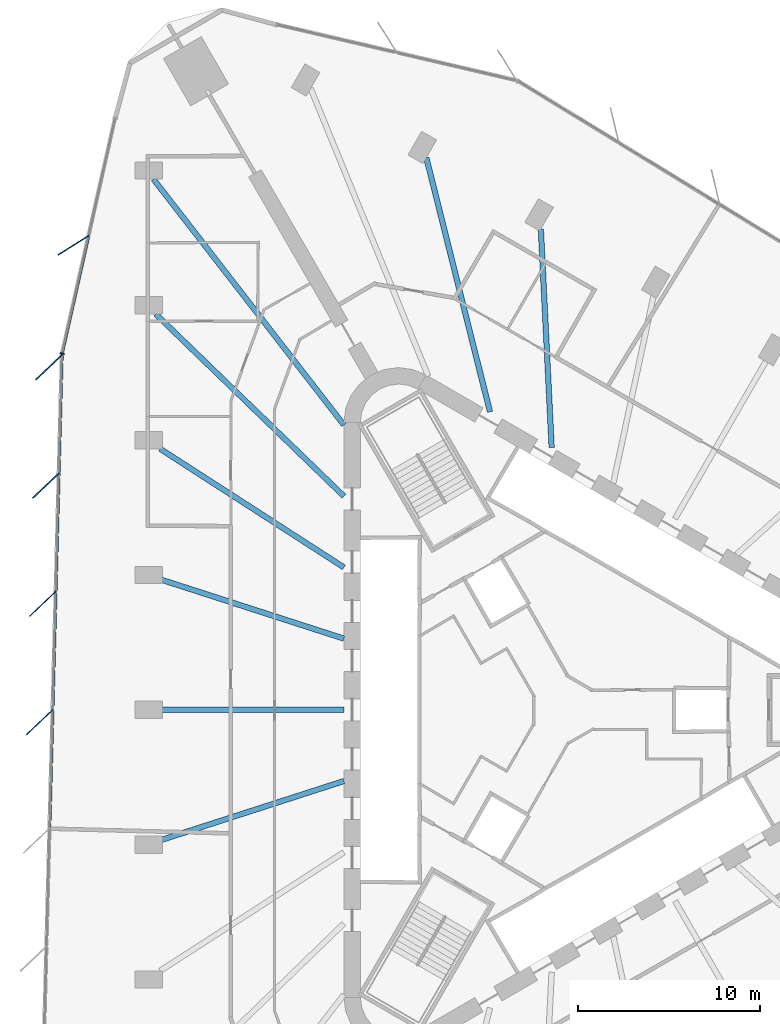
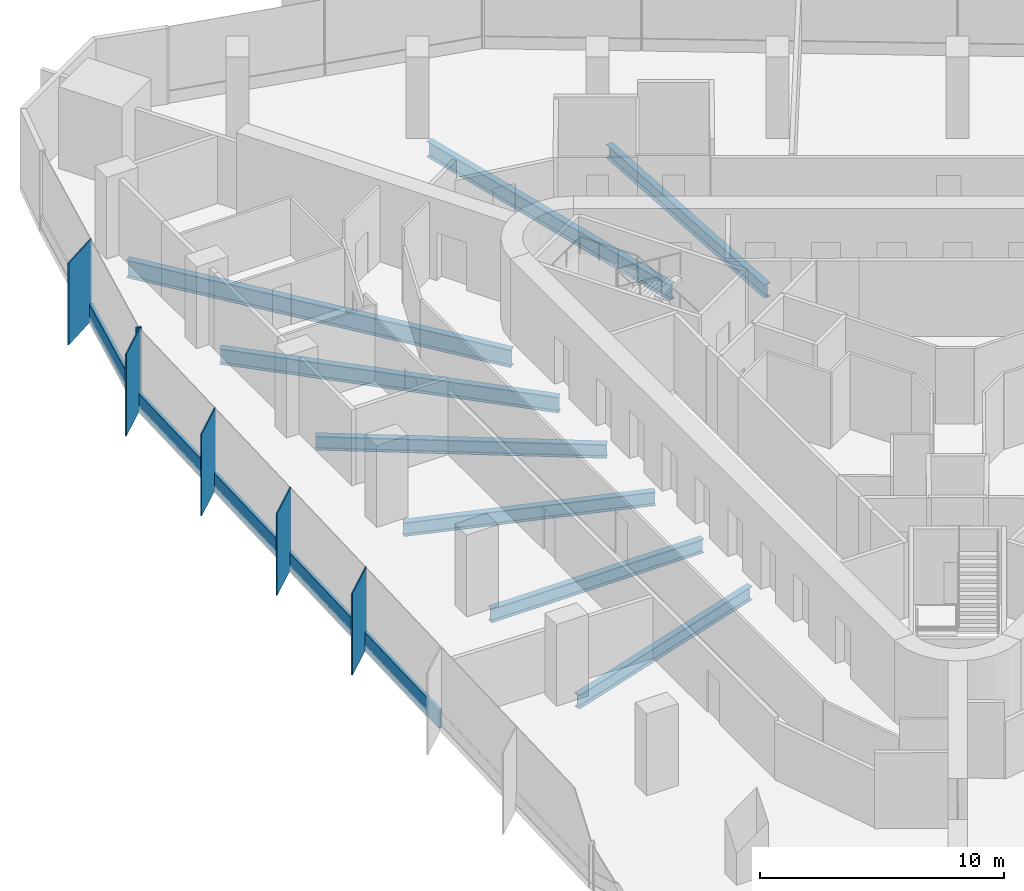
# One storey, part 4 of 14: 11 members, 8 beams, 2 elements without a shape of their own.
"""IFC4 building model written with IfcOpenShell, lengths in metres."""

from ifc_helpers import new_model, si_unit, direction, frame, origin, origin_2d, place, context, subcontext, project, spatial, rectangle, i_section, extrude, material, material_profile, profile_set, type_object, element, aggregate, save


model = new_model("IFC4")

# Units and contexts
model_context = context("Model", 3, precision=1e-05, world=origin(), true_north=direction((0.0, 1.0)))
body_context = subcontext(model_context, "Body", "Model", "MODEL_VIEW")
ifc_project = project(units=[si_unit("LENGTHUNIT", "METRE"), si_unit("AREAUNIT", "SQUARE_METRE"), si_unit("VOLUMEUNIT", "CUBIC_METRE"), si_unit("PLANEANGLEUNIT", "RADIAN"), si_unit("MASSUNIT", "GRAM", prefix="KILO")], contexts=[model_context])

# Site, building, storey
site_placement = place(None, origin())
site = spatial("IfcSite", under=ifc_project, at=site_placement, CompositionType="ELEMENT")
building_placement = place(site_placement, origin())
building = spatial("IfcBuilding", under=site, at=building_placement, Name="Tanit Gate Tower", CompositionType="ELEMENT")
storey_placement = place(building_placement, frame((0.0, 0.0, 119.300048828125)))
storey = spatial("IfcBuildingStorey", under=building, at=storey_placement, Name="L25", CompositionType="ELEMENT", Elevation=119.300048828125)

# Curtain wall, member
ifc_material_1 = material(Name="Aluminium bronze anodised and glass", Category="aluminium")
curtain_wall_type = type_object("IfcCurtainWallType", Name="Curtain wall typical low", PredefinedType="NOTDEFINED", material=ifc_material_1)
curtain_wall_1_placement = place(storey_placement, origin())
curtain_wall_1 = element("IfcCurtainWall", 1, at=curtain_wall_1_placement, inside=storey, type_object=curtain_wall_type, Name="Curtain wall L25 W1", PredefinedType="NOTDEFINED")
ifc_material_2 = material(Name="Aluminium bronze anodised", Category="aluminium")
ifc_material_profile_1 = material_profile(ifc_material_2, rectangle(XDim=2.0, YDim=0.055908203125, at=origin_2d()), Name="56x2000 bronze fin mullion")
ifc_profile_set_1 = profile_set([ifc_material_profile_1], Name="Aluminium bronze anodised")
member_type_1 = type_object("IfcMemberType", Name="FIN MULLION 56x2000 bronze", PredefinedType="MULLION", material=ifc_profile_set_1)
member_1_placement = place(storey_placement, frame((-26.922607421875, 25.471435546875, -0.300048828125), z_axis=(0.0, 0.0, 1.0), x_axis=(0.845158107773, 0.534516391579, 0.0)))
member_1 = element("IfcMember", 2, at=member_1_placement, type_object=member_type_1, Name="Fin mullion L25 W1.2", PredefinedType="MULLION", context=body_context, shape_type="SweptSolid", body=[
    extrude(rectangle(XDim=2.0, YDim=0.055908203125, at=origin_2d()), origin(), (0.0, 0.0, 1.0), 4.10009765625),
])

# Curtain wall, members
curtain_wall_2_placement = place(storey_placement, origin())
curtain_wall_2 = element("IfcCurtainWall", 3, at=curtain_wall_2_placement, inside=storey, type_object=curtain_wall_type, Name="Curtain wall L25 W2", PredefinedType="NOTDEFINED")
member_2_placement = place(storey_placement, frame((-28.269287109375, 18.7841796875, -0.300048828125), z_axis=(0.0, 0.0, 1.0), x_axis=(0.725295571884, 0.688437603131, 0.0)))
member_2 = element("IfcMember", 4, at=member_2_placement, type_object=member_type_1, Name="Fin mullion L25 W2.1", PredefinedType="MULLION", context=body_context, shape_type="SweptSolid", body=[
    extrude(rectangle(XDim=2.0, YDim=0.055908203125, at=origin_2d()), origin(), (0.0, 0.0, 1.0), 4.10009765625),
])
member_3_placement = place(storey_placement, frame((-28.438232421875, 12.298583984375, -0.300048828125), z_axis=(0.0, 0.0, 1.0), x_axis=(0.725295571884, 0.688437603131, 0.0)))
member_3 = element("IfcMember", 5, at=member_3_placement, type_object=member_type_1, Name="Fin mullion L25 W2.2", PredefinedType="MULLION", context=body_context, shape_type="SweptSolid", body=[
    extrude(rectangle(XDim=2.0, YDim=0.055908203125, at=origin_2d()), origin(), (0.0, 0.0, 1.0), 4.10009765625),
])
member_4_placement = place(storey_placement, frame((-28.607421875, 5.813232421875, -0.300048828125), z_axis=(0.0, 0.0, 1.0), x_axis=(0.725295571884, 0.688437603131, 0.0)))
member_4 = element("IfcMember", 6, at=member_4_placement, type_object=member_type_1, Name="Fin mullion L25 W2.3", PredefinedType="MULLION", context=body_context, shape_type="SweptSolid", body=[
    extrude(rectangle(XDim=2.0, YDim=0.055908203125, at=origin_2d()), origin(), (0.0, 0.0, 1.0), 4.10009765625),
])
member_5_placement = place(storey_placement, frame((-28.776611328125, -0.672119140625, -0.300048828125), z_axis=(0.0, 0.0, 1.0), x_axis=(0.725295571884, 0.688437603131, 0.0)))
member_5 = element("IfcMember", 7, at=member_5_placement, type_object=member_type_1, Name="Fin mullion L25 W2.4", PredefinedType="MULLION", context=body_context, shape_type="SweptSolid", body=[
    extrude(rectangle(XDim=2.0, YDim=0.055908203125, at=origin_2d()), origin(), (0.0, 0.0, 1.0), 4.10009765625),
])

# Member
ifc_material_3 = material(Name="Aluminium bronze anodised", Category="aluminium")
ifc_material_profile_2 = material_profile(ifc_material_3, rectangle(XDim=0.239990234375, YDim=0.080078125, at=origin_2d()), Name="80x240 bronze mullion")
ifc_profile_set_2 = profile_set([ifc_material_profile_2], Name="Aluminium bronze anodised")
member_type_2 = type_object("IfcMemberType", Name="Mullion 80x240 typical low", PredefinedType="MULLION", material=ifc_profile_set_2)
member_6_placement = place(storey_placement, frame((-27.550537109375, 19.535888671875, -0.300048828125), z_axis=(0.0, 0.0, 1.0), x_axis=(0.975577194321, -0.21965686404, 0.0)))
member_6 = element("IfcMember", 8, at=member_6_placement, type_object=member_type_2, Name="Mullion L25 W1.3", PredefinedType="MULLION", context=body_context, shape_type="SweptSolid", body=[
    extrude(rectangle(XDim=0.239990234375, YDim=0.080078125, at=origin_2d()), origin(), (0.0, 0.0, 1.0), 4.10009765625),
])

# Beams
ifc_material_4 = material(Name="Steel S355", Category="steel")
ifc_material_profile_3 = material_profile(ifc_material_4, i_section(OverallWidth=0.300048828125, OverallDepth=0.68994140625, WebThickness=0.014404296875, FlangeThickness=0.027099609375, FilletRadius=0.027099609375, at=origin_2d()), Name="HEA 700")
ifc_profile_set_3 = profile_set([ifc_material_profile_3], Name="Steel S355")
beam_type_1 = type_object("IfcBeamType", Name="RADIAL GIRDER HEA 700 S355", PredefinedType="BEAM", material=ifc_profile_set_3)
beam_1_placement = place(storey_placement, frame((-22.1591796875, -7.1494140625, -0.64501953125), z_axis=(0.951690978909, 0.307057454986, 0.0), x_axis=(-0.307057454986, 0.951690978909, 0.0)))
element("IfcBeam", 9, at=beam_1_placement, inside=storey, type_object=beam_type_1, Name="RADIAL GIRDER", PredefinedType="BEAM", context=body_context, shape_type="SweptSolid", body=[
    extrude(i_section(OverallWidth=0.300048828125, OverallDepth=0.68994140625, WebThickness=0.014404296875, FlangeThickness=0.027099609375, FilletRadius=0.027099609375, at=origin_2d()), origin(), (0.0, 0.0, 1.0), 10.567626953125),
])
beam_2_placement = place(storey_placement, frame((-1.304443359375, 26.356201171875, -0.64501953125), z_axis=(0.049436754849, -0.998777256084, 0.0), x_axis=(0.998777256084, 0.049436754849, 0.0)))
element("IfcBeam", 10, at=beam_2_placement, inside=storey, type_object=beam_type_1, Name="RADIAL GIRDER", PredefinedType="BEAM", context=body_context, shape_type="SweptSolid", body=[
    extrude(i_section(OverallWidth=0.300048828125, OverallDepth=0.68994140625, WebThickness=0.014404296875, FlangeThickness=0.027099609375, FilletRadius=0.027099609375, at=origin_2d()), origin(), (0.0, 0.0, 1.0), 11.985595703125),
])
beam_3_placement = place(storey_placement, frame((-22.173095703125, 14.307861328125, -0.64501953125), z_axis=(0.840246058538, -0.542205275805, 0.0), x_axis=(0.542205275805, 0.840246058538, 0.0)))
element("IfcBeam", 11, at=beam_3_placement, inside=storey, type_object=beam_type_1, Name="RADIAL GIRDER", PredefinedType="BEAM", context=body_context, shape_type="SweptSolid", body=[
    extrude(i_section(OverallWidth=0.300048828125, OverallDepth=0.68994140625, WebThickness=0.014404296875, FlangeThickness=0.027099609375, FilletRadius=0.027099609375, at=origin_2d()), origin(), (0.0, 0.0, 1.0), 11.98583984375),
])
beam_4_placement = place(storey_placement, frame((-22.1591796875, 7.1494140625, -0.64501953125), z_axis=(0.951690978909, -0.307057454986, 0.0), x_axis=(0.307057454986, 0.951690978909, 0.0)))
element("IfcBeam", 12, at=beam_4_placement, inside=storey, type_object=beam_type_1, Name="RADIAL GIRDER", PredefinedType="BEAM", context=body_context, shape_type="SweptSolid", body=[
    extrude(i_section(OverallWidth=0.300048828125, OverallDepth=0.68994140625, WebThickness=0.014404296875, FlangeThickness=0.027099609375, FilletRadius=0.027099609375, at=origin_2d()), origin(), (0.0, 0.0, 1.0), 10.567626953125),
])
beam_5_placement = place(storey_placement, frame((-22.1591796875, 0.0, -0.64501953125), z_axis=(1.0, 0.0, 0.0), x_axis=(0.0, 1.0, 0.0)))
element("IfcBeam", 13, at=beam_5_placement, inside=storey, type_object=beam_type_1, Name="RADIAL GIRDER", PredefinedType="BEAM", context=body_context, shape_type="SweptSolid", body=[
    extrude(i_section(OverallWidth=0.300048828125, OverallDepth=0.68994140625, WebThickness=0.014404296875, FlangeThickness=0.027099609375, FilletRadius=0.027099609375, at=origin_2d()), origin(), (0.0, 0.0, 1.0), 10.05712890625),
])
ifc_material_5 = material(Name="Steel S355", Category="steel")
ifc_material_profile_4 = material_profile(ifc_material_5, i_section(OverallWidth=0.300048828125, OverallDepth=0.7900390625, WebThickness=0.014892578125, FlangeThickness=0.028076171875, FilletRadius=0.030029296875, at=origin_2d()), Name="HEA 800")
ifc_profile_set_4 = profile_set([ifc_material_profile_4], Name="Steel S355")
beam_type_2 = type_object("IfcBeamType", Name="RADIAL GIRDER HEA 800 S355", PredefinedType="BEAM", material=ifc_profile_set_4)
beam_6_placement = place(storey_placement, frame((-7.5830078125, 30.264404296875, -0.695068359375), z_axis=(0.243047731856, -0.970014329811, 0.0), x_axis=(0.970014329811, 0.243047731856, 0.0)))
element("IfcBeam", 14, at=beam_6_placement, inside=storey, type_object=beam_type_2, Name="RADIAL GIRDER", PredefinedType="BEAM", context=body_context, shape_type="SweptSolid", body=[
    extrude(i_section(OverallWidth=0.300048828125, OverallDepth=0.7900390625, WebThickness=0.014892578125, FlangeThickness=0.028076171875, FilletRadius=0.030029296875, at=origin_2d()), origin(), (0.0, 0.0, 1.0), 14.357177734375),
])
beam_7_placement = place(storey_placement, frame((-22.41845703125, 21.69921875, -0.695068359375), z_axis=(0.718541832966, -0.695483741203, 0.0), x_axis=(0.695483741203, 0.718541832966, 0.0)))
element("IfcBeam", 15, at=beam_7_placement, inside=storey, type_object=beam_type_2, Name="RADIAL GIRDER", PredefinedType="BEAM", context=body_context, shape_type="SweptSolid", body=[
    extrude(i_section(OverallWidth=0.300048828125, OverallDepth=0.7900390625, WebThickness=0.014892578125, FlangeThickness=0.028076171875, FilletRadius=0.030029296875, at=origin_2d()), origin(), (0.0, 0.0, 1.0), 14.357421875),
])
ifc_material_6 = material(Name="Steel S355", Category="steel")
ifc_material_profile_5 = material_profile(ifc_material_6, i_section(OverallWidth=0.300048828125, OverallDepth=0.889892578125, WebThickness=0.01611328125, FlangeThickness=0.030029296875, FilletRadius=0.030029296875, at=origin_2d()), Name="HEA 900")
ifc_profile_set_5 = profile_set([ifc_material_profile_5], Name="Steel S355")
beam_type_3 = type_object("IfcBeamType", Name="RADIAL GIRDER HEA 900 S355", PredefinedType="BEAM", material=ifc_profile_set_5)
beam_8_placement = place(storey_placement, frame((-22.541015625, 29.0908203125, -0.7451171875), z_axis=(0.612492683922, -0.790476256533, 0.0), x_axis=(0.790476256533, 0.612492683922, 0.0)))
element("IfcBeam", 16, at=beam_8_placement, inside=storey, type_object=beam_type_3, Name="RADIAL GIRDER", PredefinedType="BEAM", context=body_context, shape_type="SweptSolid", body=[
    extrude(i_section(OverallWidth=0.300048828125, OverallDepth=0.889892578125, WebThickness=0.01611328125, FlangeThickness=0.030029296875, FilletRadius=0.030029296875, at=origin_2d()), origin(), (0.0, 0.0, 1.0), 17.04345703125),
])

# Member
ifc_material_7 = material(Name="Aluminium bronze anodised", Category="aluminium")
ifc_material_profile_6 = material_profile(ifc_material_7, rectangle(XDim=0.159912109375, YDim=0.89990234375, at=origin_2d()), Name="160x900 bronze transom")
ifc_profile_set_6 = profile_set([ifc_material_profile_6], Name="Aluminium bronze anodised")
member_type_3 = type_object("IfcMemberType", Name="Transom 160x900 typical low", PredefinedType="USERDEFINED", material=ifc_profile_set_6)
member_7_placement = place(storey_placement, frame((-26.105224609375, 25.954833984375, 0.14990234375), z_axis=(-0.219664987345, -0.975575365277, 0.0), x_axis=(0.975575365277, -0.219664987345, 0.0)))
member_7 = element("IfcMember", 17, at=member_7_placement, type_object=member_type_3, Name="Transom L25 W1.2", ObjectType="TRANSOM", PredefinedType="USERDEFINED", context=body_context, shape_type="SweptSolid", body=[
    extrude(rectangle(XDim=0.159912109375, YDim=0.89990234375, at=origin_2d()), origin(), (0.0, 0.0, 1.0), 6.53955078125),
])

aggregate(curtain_wall_1, [member_1, member_6, member_7])

member_8_placement = place(storey_placement, frame((-27.5615234375, 19.4169921875, 0.14990234375), z_axis=(-0.026061199028, -0.999660349271, 0.0), x_axis=(0.999660349271, -0.026061199028, 0.0)))
member_8 = element("IfcMember", 18, at=member_8_placement, type_object=member_type_3, Name="Transom L25 W2.1", ObjectType="TRANSOM", PredefinedType="USERDEFINED", context=body_context, shape_type="SweptSolid", body=[
    extrude(rectangle(XDim=0.159912109375, YDim=0.89990234375, at=origin_2d()), origin(), (0.0, 0.0, 1.0), 6.40771484375),
])

member_9_placement = place(storey_placement, frame((-27.73046875, 12.931640625, 0.14990234375), z_axis=(-0.026061199028, -0.999660349271, 0.0), x_axis=(0.999660349271, -0.026061199028, 0.0)))
member_9 = element("IfcMember", 19, at=member_9_placement, type_object=member_type_3, Name="Transom L25 W2.2", ObjectType="TRANSOM", PredefinedType="USERDEFINED", context=body_context, shape_type="SweptSolid", body=[
    extrude(rectangle(XDim=0.159912109375, YDim=0.89990234375, at=origin_2d()), origin(), (0.0, 0.0, 1.0), 6.40771484375),
])

member_10_placement = place(storey_placement, frame((-27.899658203125, 6.4462890625, 0.14990234375), z_axis=(-0.026060206441, -0.999660375148, 0.0), x_axis=(0.999660375148, -0.026060206441, 0.0)))
member_10 = element("IfcMember", 20, at=member_10_placement, type_object=member_type_3, Name="Transom L25 W2.3", ObjectType="TRANSOM", PredefinedType="USERDEFINED", context=body_context, shape_type="SweptSolid", body=[
    extrude(rectangle(XDim=0.159912109375, YDim=0.89990234375, at=origin_2d()), origin(), (0.0, 0.0, 1.0), 6.407958984375),
])

member_11_placement = place(storey_placement, frame((-28.068603515625, -0.039306640625, 0.14990234375), z_axis=(-0.026061199028, -0.999660349271, 0.0), x_axis=(0.999660349271, -0.026061199028, 0.0)))
member_11 = element("IfcMember", 21, at=member_11_placement, type_object=member_type_3, Name="Transom L25 W2.4", ObjectType="TRANSOM", PredefinedType="USERDEFINED", context=body_context, shape_type="SweptSolid", body=[
    extrude(rectangle(XDim=0.159912109375, YDim=0.89990234375, at=origin_2d()), origin(), (0.0, 0.0, 1.0), 6.40771484375),
])

aggregate(curtain_wall_2, [member_2, member_3, member_4, member_5, member_8, member_9, member_10, member_11])

save(model, "model.ifc")
